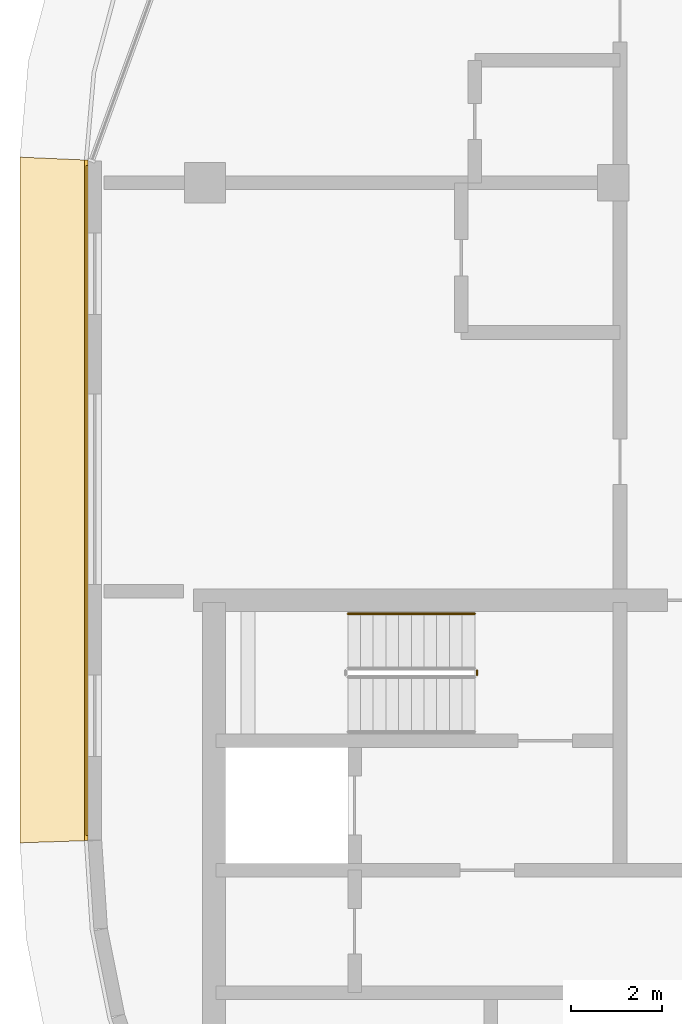
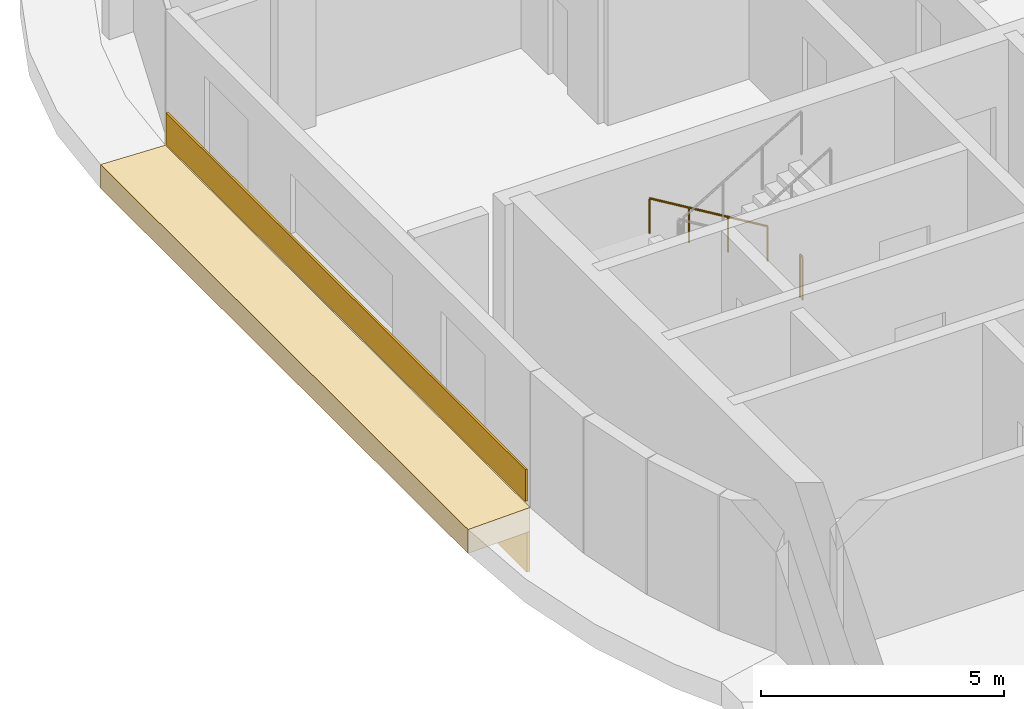
# One storey, part 16 of 20: 3 coverings, 2 railings.
"""IFC4 building model written with IfcOpenShell, lengths in metres."""

import ifcopenshell
import ifcopenshell.guid

model = None  # the IFC model being written
_history = None  # IfcOwnerHistory: only IFC2X3 demands one
_inside = {}  # id of a spatial element -> (the spatial element, [elements in it])
_under = {}  # id of a project, library or spatial element -> (it, [spatial elements below it])
_declared = {}  # id of a project -> (the project, [libraries it declares])
_typed = {}  # id of a type object -> (the type object, [elements of that type])
_made_of = {}  # id of a material, layer set ... -> (it, [elements and type objects made of it])


def new_model(schema):
    """Start an empty IFC model of exactly this schema.

    Asked for "IFC4X3", IfcOpenShell would pick the latest addendum, in which some entities
    have other attributes; the version numbers below select the first issue.
    IFC2X3 requires an IfcOwnerHistory on every rooted entity: one is made here for all.
    """
    global model, _history
    if schema == "IFC4X3":
        model = ifcopenshell.file(schema_version=(4, 3, 0, 0))
    else:
        model = ifcopenshell.file(schema=schema)
    _inside.clear()
    _under.clear()
    _declared.clear()
    _typed.clear()
    _made_of.clear()
    _history = None
    if model.schema == "IFC2X3":
        org = make("IfcOrganization", Name="unknown")
        user = make(
            "IfcPersonAndOrganization",
            ThePerson=make("IfcPerson", FamilyName="unknown"),
            TheOrganization=org,
        )
        app = make(
            "IfcApplication",
            ApplicationDeveloper=org,
            Version="unknown",
            ApplicationFullName="unknown",
            ApplicationIdentifier="unknown",
        )
        _history = make(
            "IfcOwnerHistory",
            OwningUser=user,
            OwningApplication=app,
            ChangeAction="ADDED",
            CreationDate=0,
        )
    return model


def make(cls, **values):
    """One entity of the class cls with the attributes given. An attribute that is None is left unset."""
    return model.create_entity(
        cls, **{name: value for name, value in values.items() if value is not None}
    )


def rooted(cls, **values):
    """An entity with a GlobalId (a new one), such as an element, a storey or a relation."""
    return make(cls, GlobalId=ifcopenshell.guid.new(), OwnerHistory=_history, **values)


def si_unit(unit_type, name, prefix=None):
    """IfcSIUnit, for example si_unit("LENGTHUNIT", "METRE", prefix="MILLI")."""
    return make("IfcSIUnit", UnitType=unit_type, Prefix=prefix, Name=name)


def assignment(units):
    """IfcUnitAssignment: the units of a project."""
    return None if units is None else make("IfcUnitAssignment", Units=units)


def point(xyz):
    """IfcCartesianPoint."""
    return None if xyz is None else make("IfcCartesianPoint", Coordinates=xyz)


def direction(xyz):
    """IfcDirection."""
    return None if xyz is None else make("IfcDirection", DirectionRatios=xyz)


def frame(location, z_axis=None, x_axis=None):
    """IfcAxis2Placement3D, a coordinate frame: its origin and axes. An axis left out is left unset."""
    return make(
        "IfcAxis2Placement3D",
        Location=point(location),
        Axis=direction(z_axis),
        RefDirection=direction(x_axis),
    )


def frame_2d(location, x_axis=None):
    """IfcAxis2Placement2D, a coordinate frame in the plane: its origin and x axis."""
    return make(
        "IfcAxis2Placement2D", Location=point(location), RefDirection=direction(x_axis)
    )


def origin():
    """The frame at (0, 0, 0) with its axes left unset."""
    return frame((0.0, 0.0, 0.0))


def origin_2d():
    """The frame at (0, 0) in the plane with its x axis left unset."""
    return frame_2d((0.0, 0.0))


def place(relative_to, where):
    """IfcLocalPlacement: puts the frame where relative to a parent placement (None: the world)."""
    return make(
        "IfcLocalPlacement", PlacementRelTo=relative_to, RelativePlacement=where
    )


def context(
    kind, dimensions, precision=None, world=None, true_north=None, identifier=None
):
    """IfcGeometricRepresentationContext, for example the 3D "Model" context."""
    return make(
        "IfcGeometricRepresentationContext",
        ContextIdentifier=identifier,
        ContextType=kind,
        CoordinateSpaceDimension=dimensions,
        Precision=precision,
        WorldCoordinateSystem=world,
        TrueNorth=true_north,
    )


def subcontext(parent, identifier, kind, view, scale=None):
    """IfcGeometricRepresentationSubContext, for example "Body" below "Model"."""
    return make(
        "IfcGeometricRepresentationSubContext",
        ContextIdentifier=identifier,
        ContextType=kind,
        ParentContext=parent,
        TargetScale=scale,
        TargetView=view,
    )


def project(units=None, contexts=None):
    """IfcProject with its units and contexts."""
    return rooted(
        "IfcProject",
        Name="project",
        RepresentationContexts=contexts,
        UnitsInContext=assignment(units),
    )


def spatial(cls, under=None, at=None, **own):
    """A site, building, storey or space (cls), placed at a placement, below another one or the project."""
    s = rooted(cls, ObjectPlacement=at, **own)
    if under is not None:
        _under.setdefault(under.id(), (under, []))[1].append(s)
    return s


def polyline(points):
    """IfcPolyline through the points."""
    return make("IfcPolyline", Points=[point(p) for p in points])


def profile(cls, at=None, kind="AREA", **sizes):
    """A parametric profile (cls). Its sizes go by their IFC names, for example OverallWidth=200.0."""
    return make(cls, ProfileType=kind, Position=at, **sizes)


def rectangle(**sizes):
    """IfcRectangleProfileDef."""
    return profile("IfcRectangleProfileDef", **sizes)


def circle(**sizes):
    """IfcCircleProfileDef."""
    return profile("IfcCircleProfileDef", **sizes)


def outline(outer, holes=None, kind="AREA"):
    """IfcArbitraryClosedProfileDef: a profile drawn as a closed curve; with holes, ...WithVoids."""
    if holes is None:
        return make("IfcArbitraryClosedProfileDef", ProfileType=kind, OuterCurve=outer)
    return make(
        "IfcArbitraryProfileDefWithVoids",
        ProfileType=kind,
        OuterCurve=outer,
        InnerCurves=holes,
    )


def extrude(swept, where, along, depth):
    """IfcExtrudedAreaSolid: the profile swept, set in the frame where, extruded along a direction by depth."""
    return make(
        "IfcExtrudedAreaSolid",
        SweptArea=swept,
        Position=where,
        ExtrudedDirection=direction(along),
        Depth=depth,
    )


def shape(context_of_items, identifier, shape_type, items):
    """IfcShapeRepresentation: the items that make up one representation, for example the "Body"."""
    return make(
        "IfcShapeRepresentation",
        ContextOfItems=context_of_items,
        RepresentationIdentifier=identifier,
        RepresentationType=shape_type,
        Items=items,
    )


def material(Name=None, Category=None):
    """IfcMaterial."""
    return make("IfcMaterial", Name=Name, Category=Category)


def layer(
    of_material, thickness, ventilated=None, Name=None, Category=None, Priority=None
):
    """IfcMaterialLayer: one layer of a wall or slab, of a material (None: an air gap)."""
    return make(
        "IfcMaterialLayer",
        Material=of_material,
        LayerThickness=thickness,
        IsVentilated=ventilated,
        Name=Name,
        Category=Category,
        Priority=Priority,
    )


def layer_set(layers, Name=None):
    """IfcMaterialLayerSet."""
    return make("IfcMaterialLayerSet", MaterialLayers=layers, LayerSetName=Name)


def made_of(thing, what):
    """Note that an element or type object is made of a material, layer set ...; save() writes the relation."""
    if what is not None:
        _made_of.setdefault(what.id(), (what, []))[1].append(thing)
    return thing


def type_object(cls, material=None, **own):
    """A type object (cls), such as IfcWallType, which elements share."""
    return made_of(rooted(cls, **own), material)


def element(
    cls,
    number,
    at=None,
    inside=None,
    cuts=None,
    type_object=None,
    material=None,
    context=None,
    identifier="Body",
    shape_type=None,
    held_by="IfcProductDefinitionShape",
    body=None,
    shapes=None,
    **own,
):
    """One element of the class cls, such as IfcWall. Its Tag is "e" and its number.

    at: its placement. inside: the storey or other place that contains it. cuts: it is an
    opening in that element (IfcRelVoidsElement). A single representation is given by context,
    identifier, shape_type and body (its items); several are given by shapes. held_by: the class
    of the entity that holds the representations. save() writes the other relations.
    """
    e = rooted(cls, Tag="e%d" % number, ObjectPlacement=at, **own)
    if body is not None:
        shapes = [shape(context, identifier, shape_type, body)]
    if shapes is not None:
        e.Representation = make(held_by, Representations=shapes)
    if inside is not None:
        _inside.setdefault(inside.id(), (inside, []))[1].append(e)
    if cuts is not None:
        rooted(
            "IfcRelVoidsElement", RelatingBuildingElement=cuts, RelatedOpeningElement=e
        )
    if type_object is not None:
        _typed.setdefault(type_object.id(), (type_object, []))[1].append(e)
    return made_of(e, material)


def aggregate(whole, parts):
    """IfcRelAggregates: a whole, such as a stair, and the parts it consists of."""
    return rooted("IfcRelAggregates", RelatingObject=whole, RelatedObjects=parts)


def save(model, path):
    """Write the relations noted so far, then the file.

    IfcRelAggregates (storeys below a building ...), IfcRelContainedInSpatialStructure (elements
    in a storey), IfcRelDefinesByType, IfcRelAssociatesMaterial and IfcRelDeclares: one each for
    every whole, place, type object, material and project.
    """
    for whole, parts in _under.values():
        aggregate(whole, parts)
    for where, things in _inside.values():
        rooted(
            "IfcRelContainedInSpatialStructure",
            RelatedElements=things,
            RelatingStructure=where,
        )
    for kind, things in _typed.values():
        rooted("IfcRelDefinesByType", RelatedObjects=things, RelatingType=kind)
    for what, things in _made_of.values():
        rooted("IfcRelAssociatesMaterial", RelatedObjects=things, RelatingMaterial=what)
    for by, libraries in _declared.values():
        rooted("IfcRelDeclares", RelatingContext=by, RelatedDefinitions=libraries)
    model.write(path)


model = new_model("IFC4")

# Units and contexts
model_context = context("Model", 3, precision=1e-05, world=origin(), true_north=direction((0.0, 1.0)))
body_context = subcontext(model_context, "Body", "Model", "MODEL_VIEW")
ifc_project = project(units=[si_unit("LENGTHUNIT", "METRE"), si_unit("AREAUNIT", "SQUARE_METRE"), si_unit("VOLUMEUNIT", "CUBIC_METRE"), si_unit("PLANEANGLEUNIT", "RADIAN"), si_unit("MASSUNIT", "GRAM", prefix="KILO")], contexts=[model_context])

# Site, building, storey
site_placement = place(None, origin())
site = spatial("IfcSite", under=ifc_project, at=site_placement, CompositionType="ELEMENT")
building_placement = place(site_placement, origin())
building = spatial("IfcBuilding", under=site, at=building_placement, Name="Ogive Portal Towers", CompositionType="ELEMENT")
storey_placement = place(building_placement, frame((0.0, 0.0, 232.800048828125)))
storey = spatial("IfcBuildingStorey", under=building, at=storey_placement, Name="L58", CompositionType="ELEMENT", Elevation=232.800048828125)

# Railings
ifc_material_1 = material(Name="Stainless steel balustrade", Category="steel")
railing_type_1 = type_object("IfcRailingType", Name="INT-GUARD", PredefinedType="GUARDRAIL", material=ifc_material_1)
railing_1_placement = place(storey_placement, frame((37.5, 37.75, 0.0)))
element("IfcRailing", 1, at=railing_1_placement, inside=storey, type_object=railing_type_1, Name="L58 ST-A1 stair guard 4", PredefinedType="GUARDRAIL", context=body_context, shape_type="SweptSolid", body=[
    extrude(circle(Radius=0.02392578125, at=origin_2d()), frame((0.0, 0.0, 1.076171875), z_axis=(0.0, -1.0, 0.0), x_axis=(1.0, 0.0, 0.0)), (0.0, 0.0, 1.0), 0.10009765625),
    extrude(circle(Radius=0.02099609375, at=origin_2d()), origin(), (0.0, 0.0, 1.0), 1.052001953125),
    extrude(circle(Radius=0.02099609375, at=origin_2d()), frame((0.0, -0.10009765625, 0.0)), (0.0, 0.0, 1.0), 1.052001953125),
])
ifc_material_2 = material(Name="Stainless steel handrail", Category="steel")
railing_type_2 = type_object("IfcRailingType", Name="INT-HANDRAIL", PredefinedType="HANDRAIL", material=ifc_material_2)
railing_2_placement = place(storey_placement, frame((37.449951171875, 39.0, 0.168212890625)))
element("IfcRailing", 2, at=railing_2_placement, inside=storey, type_object=railing_type_2, Name="L58 ST-A1 stair handrail 1", PredefinedType="HANDRAIL", context=body_context, shape_type="SweptSolid", body=[
    extrude(circle(Radius=0.02392578125, at=origin_2d()), frame((0.0, 0.0, 0.8759765625), z_axis=(-0.857275202839, 0.0, 0.514858452973), x_axis=(0.0, -1.0, 0.0)), (0.0, 0.0, 1.0), 3.26611328125),
    extrude(circle(Radius=0.02099609375, at=origin_2d()), origin(), (0.0, 0.0, 1.0), 0.851806640625),
    extrude(circle(Radius=0.02099609375, at=origin_2d()), frame((-0.933349609375, 0.0, 0.560546875)), (0.0, 0.0, 1.0), 0.851806640625),
    extrude(circle(Radius=0.02099609375, at=origin_2d()), frame((-1.86669921875, 0.0, 1.12109375)), (0.0, 0.0, 1.0), 0.851806640625),
    extrude(circle(Radius=0.02099609375, at=origin_2d()), frame((-2.800048828125, 0.0, 1.681640625)), (0.0, 0.0, 1.0), 0.851806640625),
])

# Coverings
ifc_material_3 = material(Name="Limestone cladding on lightweight block wall", Category="masonry")
ifc_layer_1 = layer(ifc_material_3, 0.050048828125)
ifc_layer_set_1 = layer_set([ifc_layer_1], Name="SCREEN PERFORATED STONE")
covering_type_1 = type_object("IfcCoveringType", Name="SCREEN PERFORATED STONE", PredefinedType="CLADDING", material=ifc_layer_set_1)
covering_1_placement = place(storey_placement, frame((28.89990234375, 41.497802734375, 0.10009765625), z_axis=(0.0, 0.0, 1.0), x_axis=(0.0, -1.0, 0.0)))
element("IfcCovering", 3, at=covering_1_placement, inside=storey, type_object=covering_type_1, Name="Tracery screen", PredefinedType="CLADDING", context=body_context, shape_type="SweptSolid", body=[
    extrude(rectangle(XDim=14.776123046875, YDim=0.050048828125, at=origin_2d()), origin(), (0.0, 0.0, 1.0), 0.800048828125),
])
ifc_layer_2 = layer(ifc_material_3, 0.080078125)
ifc_layer_set_2 = layer_set([ifc_layer_2], Name="STONE SPANDREL 80")
covering_type_2 = type_object("IfcCoveringType", Name="STONE SPANDREL 80", PredefinedType="CLADDING", material=ifc_layer_set_2)
covering_2_placement = place(storey_placement, frame((0.0, 0.0, -1.60009765625)))
element("IfcCovering", 4, at=covering_2_placement, inside=storey, type_object=covering_type_2, Name="Stone spandrel A1-F13", PredefinedType="CLADDING", context=body_context, shape_type="SweptSolid", body=[
    extrude(outline(polyline([(28.925048828125, 49.0), (28.925048828125, 34.0), (28.844970703125, 33.997314453125), (28.844970703125, 49.00341796875), (28.925048828125, 49.0)])), origin(), (0.0, 0.0, 1.0), 1.0),
])
ifc_layer_3 = layer(ifc_material_3, 0.60009765625)
ifc_layer_set_3 = layer_set([ifc_layer_3], Name="SUNSHADE LIP 600")
covering_type_3 = type_object("IfcCoveringType", Name="SUNSHADE LIP 600", PredefinedType="CLADDING", material=ifc_layer_set_3)
covering_3_placement = place(storey_placement, frame((0.0, 0.0, -0.60009765625)))
element("IfcCovering", 5, at=covering_3_placement, inside=storey, type_object=covering_type_3, Name="Sunshade lip A1-F13", PredefinedType="CLADDING", context=body_context, shape_type="SweptSolid", body=[
    extrude(outline(polyline([(28.925048828125, 49.0), (28.925048828125, 34.0), (27.425048828125, 33.950927734375), (27.425048828125, 49.0654296875), (28.925048828125, 49.0)])), origin(), (0.0, 0.0, 1.0), 0.60009765625),
])

save(model, "model.ifc")
